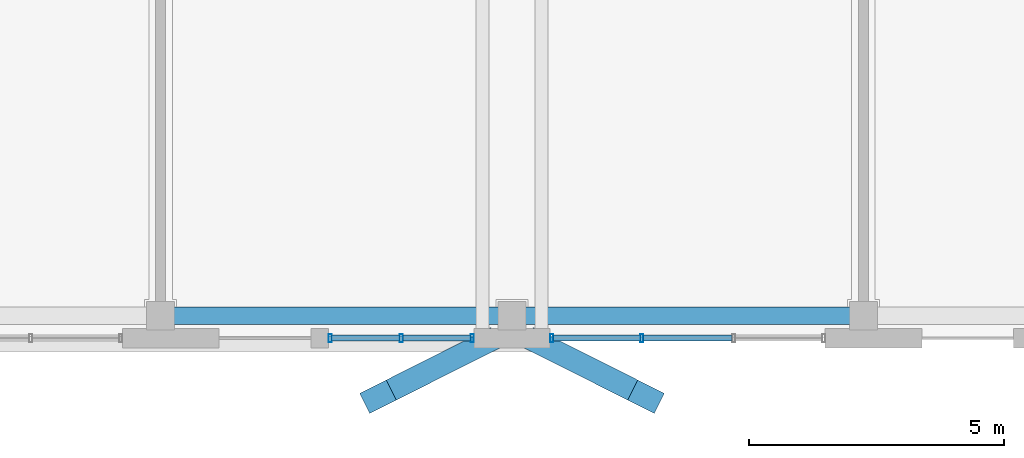
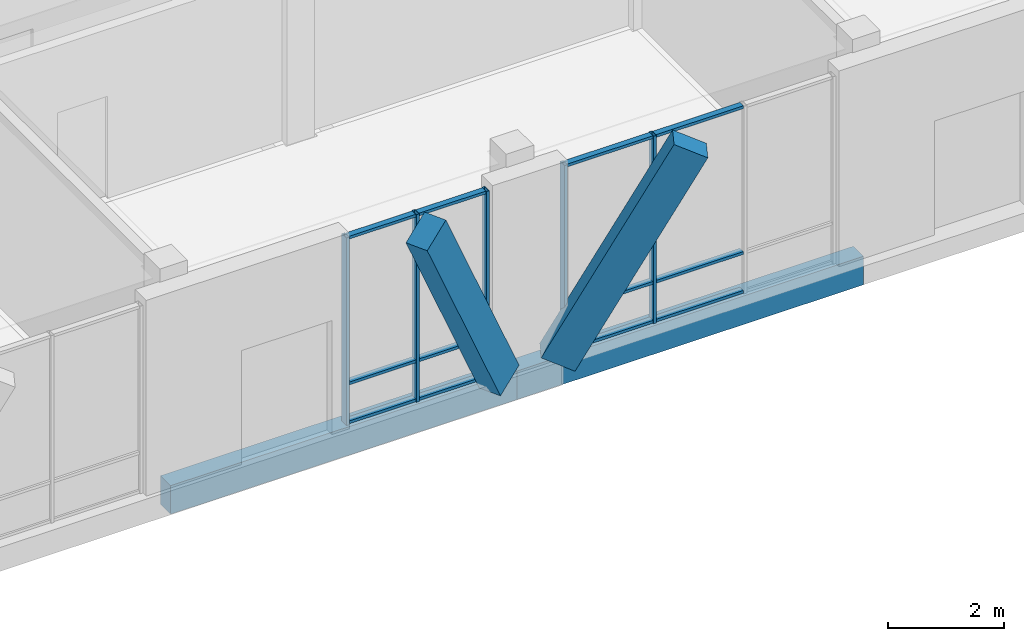
# One storey, part 138 of 233: 19 members, 2 beams, 2 elements without a shape of their own.
"""IFC4 building model written with IfcOpenShell, lengths in metres."""

from ifc_helpers import new_model, si_unit, direction, frame, origin, origin_2d, place, context, subcontext, project, spatial, rectangle, hollow_rectangle, extrude, material, material_profile, profile_set, type_object, element, aggregate, save


model = new_model("IFC4")

# Units and contexts
model_context = context("Model", 3, precision=1e-05, world=origin(), true_north=direction((0.0, 1.0)))
body_context = subcontext(model_context, "Body", "Model", "MODEL_VIEW")
ifc_project = project(units=[si_unit("LENGTHUNIT", "METRE"), si_unit("AREAUNIT", "SQUARE_METRE"), si_unit("VOLUMEUNIT", "CUBIC_METRE"), si_unit("PLANEANGLEUNIT", "RADIAN"), si_unit("MASSUNIT", "GRAM", prefix="KILO")], contexts=[model_context])

# Site, building, storey
site_placement = place(None, origin())
site = spatial("IfcSite", under=ifc_project, at=site_placement, CompositionType="ELEMENT")
building_placement = place(site_placement, origin())
building = spatial("IfcBuilding", under=site, at=building_placement, Name="Zavelmont Quarter", CompositionType="ELEMENT")
storey_placement = place(building_placement, origin())
storey = spatial("IfcBuildingStorey", under=building, at=storey_placement, Name="L00", CompositionType="ELEMENT", Elevation=0.0)

# Beams
ifc_material_1 = material(Name="Concrete C35/45", Category="concrete")
ifc_material_profile_1 = material_profile(ifc_material_1, rectangle(XDim=0.35009765625, YDim=0.60009765625, at=origin_2d()), Name="RC350X600")
ifc_profile_set_1 = profile_set([ifc_material_profile_1], Name="Concrete C35/45")
beam_type = type_object("IfcBeamType", Name="BM01", PredefinedType="SPANDREL", material=ifc_profile_set_1)
beam_1_placement = place(storey_placement, frame((140.39990234375, 0.43994140625, -0.6201171875), z_axis=(1.0, 0.0, 0.0), x_axis=(0.0, 1.0, 0.0)))
element("IfcBeam", 1, at=beam_1_placement, inside=storey, type_object=beam_type, Name="L00 beam BM01 21/A to 22/A", PredefinedType="SPANDREL", context=body_context, shape_type="SweptSolid", body=[
    extrude(rectangle(XDim=0.35009765625, YDim=0.60009765625, at=origin_2d()), origin(), (0.0, 0.0, 1.0), 6.900146484375),
])
beam_2_placement = place(storey_placement, frame((147.300048828125, 0.43994140625, -0.6201171875), z_axis=(1.0, 0.0, 0.0), x_axis=(0.0, 1.0, 0.0)))
element("IfcBeam", 2, at=beam_2_placement, inside=storey, type_object=beam_type, Name="L00 beam BM01 22/A to 23/A", PredefinedType="SPANDREL", context=body_context, shape_type="SweptSolid", body=[
    extrude(rectangle(XDim=0.35009765625, YDim=0.60009765625, at=origin_2d()), origin(), (0.0, 0.0, 1.0), 6.89990234375),
])

# Curtain wall, members
ifc_material_2 = material(Name="Thermally broken aluminium and double low-E safety glazing", Category="aluminium")
curtain_wall_type_1 = type_object("IfcCurtainWallType", Name="CW-285X395", PredefinedType="NOTDEFINED", material=ifc_material_2)
curtain_wall_1_placement = place(storey_placement, origin())
curtain_wall_1 = element("IfcCurtainWall", 3, at=curtain_wall_1_placement, inside=storey, type_object=curtain_wall_type_1, Name="L00 unitised curtain wall CW-285X395", PredefinedType="NOTDEFINED")
ifc_material_3 = material(Name="Powder-coated aluminium EN AW-6063-T6", Category="aluminium")
ifc_material_profile_2 = material_profile(ifc_material_3, hollow_rectangle(XDim=0.06005859375, YDim=0.159912109375, WallThickness=0.00390625, at=origin_2d()), Name="CWM60X160")
ifc_profile_set_2 = profile_set([ifc_material_profile_2], Name="Powder-coated aluminium EN AW-6063-T6")
member_type_1 = type_object("IfcMemberType", Name="CWM01", PredefinedType="MULLION", material=ifc_profile_set_2)
member_1_placement = place(storey_placement, frame((143.72998046875, 0.0, 0.0), z_axis=(0.0, 0.0, 1.0), x_axis=(1.0, 0.0, 0.0)))
member_1 = element("IfcMember", 4, at=member_1_placement, type_object=member_type_1, Name="CW-285X395 mullion 1", PredefinedType="MULLION", context=body_context, shape_type="SweptSolid", body=[
    extrude(hollow_rectangle(XDim=0.06005859375, YDim=0.159912109375, WallThickness=0.00390625, at=origin_2d()), origin(), (0.0, 0.0, 1.0), 3.949951171875),
])
member_2_placement = place(storey_placement, frame((145.125, 0.0, 0.0), z_axis=(0.0, 0.0, 1.0), x_axis=(1.0, 0.0, 0.0)))
member_2 = element("IfcMember", 5, at=member_2_placement, type_object=member_type_1, Name="CW-285X395 mullion 2", PredefinedType="MULLION", context=body_context, shape_type="SweptSolid", body=[
    extrude(hollow_rectangle(XDim=0.06005859375, YDim=0.159912109375, WallThickness=0.00390625, at=origin_2d()), origin(), (0.0, 0.0, 1.0), 3.949951171875),
])
member_3_placement = place(storey_placement, frame((146.52001953125, 0.0, 0.0), z_axis=(0.0, 0.0, 1.0), x_axis=(1.0, 0.0, 0.0)))
member_3 = element("IfcMember", 6, at=member_3_placement, type_object=member_type_1, Name="CW-285X395 mullion 3", PredefinedType="MULLION", context=body_context, shape_type="SweptSolid", body=[
    extrude(hollow_rectangle(XDim=0.06005859375, YDim=0.159912109375, WallThickness=0.00390625, at=origin_2d()), origin(), (0.0, 0.0, 1.0), 3.949951171875),
])

curtain_wall_type_2 = type_object("IfcCurtainWallType", Name="CW-540X395", PredefinedType="NOTDEFINED", material=ifc_material_2)
curtain_wall_2_placement = place(storey_placement, origin())
curtain_wall_2 = element("IfcCurtainWall", 7, at=curtain_wall_2_placement, inside=storey, type_object=curtain_wall_type_2, Name="L00 unitised curtain wall CW-540X395", PredefinedType="NOTDEFINED")
member_4_placement = place(storey_placement, frame((148.080078125, 0.0, 0.0), z_axis=(0.0, 0.0, 1.0), x_axis=(1.0, 0.0, 0.0)))
member_4 = element("IfcMember", 8, at=member_4_placement, type_object=member_type_1, Name="CW-540X395 mullion 1", PredefinedType="MULLION", context=body_context, shape_type="SweptSolid", body=[
    extrude(hollow_rectangle(XDim=0.06005859375, YDim=0.159912109375, WallThickness=0.00390625, at=origin_2d()), origin(), (0.0, 0.0, 1.0), 3.949951171875),
])
member_5_placement = place(storey_placement, frame((149.85009765625, 0.0, 0.0), z_axis=(0.0, 0.0, 1.0), x_axis=(1.0, 0.0, 0.0)))
member_5 = element("IfcMember", 9, at=member_5_placement, type_object=member_type_1, Name="CW-540X395 mullion 2", PredefinedType="MULLION", context=body_context, shape_type="SweptSolid", body=[
    extrude(hollow_rectangle(XDim=0.06005859375, YDim=0.159912109375, WallThickness=0.00390625, at=origin_2d()), origin(), (0.0, 0.0, 1.0), 3.949951171875),
])

# Member
ifc_material_profile_3 = material_profile(ifc_material_3, hollow_rectangle(XDim=0.1201171875, YDim=0.06005859375, WallThickness=0.00390625, at=origin_2d()), Name="CWT60X120")
ifc_profile_set_3 = profile_set([ifc_material_profile_3], Name="Powder-coated aluminium EN AW-6063-T6")
member_type_2 = type_object("IfcMemberType", Name="CWT01", PredefinedType="NOTDEFINED", material=ifc_profile_set_3)
member_6_placement = place(storey_placement, frame((143.760009765625, 0.0, 0.030029296875), z_axis=(1.0, 0.0, 0.0), x_axis=(0.0, 1.0, 0.0)))
member_6 = element("IfcMember", 10, at=member_6_placement, type_object=member_type_2, Name="CW-285X395 transom 1.1", ObjectType="TRANSOM", PredefinedType="USERDEFINED", context=body_context, shape_type="SweptSolid", body=[
    extrude(hollow_rectangle(XDim=0.1201171875, YDim=0.06005859375, WallThickness=0.00390625, at=origin_2d()), origin(), (0.0, 0.0, 1.0), 1.3349609375),
])

member_7_placement = place(storey_placement, frame((143.760009765625, 0.0, 0.85009765625), z_axis=(1.0, 0.0, 0.0), x_axis=(0.0, 1.0, 0.0)))
member_7 = element("IfcMember", 11, at=member_7_placement, type_object=member_type_2, Name="CW-285X395 transom 1.2", ObjectType="TRANSOM", PredefinedType="USERDEFINED", context=body_context, shape_type="SweptSolid", body=[
    extrude(hollow_rectangle(XDim=0.1201171875, YDim=0.06005859375, WallThickness=0.00390625, at=origin_2d()), origin(), (0.0, 0.0, 1.0), 1.3349609375),
])

member_8_placement = place(storey_placement, frame((143.760009765625, 0.0, 3.919921875), z_axis=(1.0, 0.0, 0.0), x_axis=(0.0, 1.0, 0.0)))
member_8 = element("IfcMember", 12, at=member_8_placement, type_object=member_type_2, Name="CW-285X395 transom 1.3", ObjectType="TRANSOM", PredefinedType="USERDEFINED", context=body_context, shape_type="SweptSolid", body=[
    extrude(hollow_rectangle(XDim=0.1201171875, YDim=0.06005859375, WallThickness=0.00390625, at=origin_2d()), origin(), (0.0, 0.0, 1.0), 1.3349609375),
])

member_9_placement = place(storey_placement, frame((145.155029296875, 0.0, 0.030029296875), z_axis=(1.0, 0.0, 0.0), x_axis=(0.0, 1.0, 0.0)))
member_9 = element("IfcMember", 13, at=member_9_placement, type_object=member_type_2, Name="CW-285X395 transom 2.1", ObjectType="TRANSOM", PredefinedType="USERDEFINED", context=body_context, shape_type="SweptSolid", body=[
    extrude(hollow_rectangle(XDim=0.1201171875, YDim=0.06005859375, WallThickness=0.00390625, at=origin_2d()), origin(), (0.0, 0.0, 1.0), 1.3349609375),
])

member_10_placement = place(storey_placement, frame((145.155029296875, 0.0, 0.85009765625), z_axis=(1.0, 0.0, 0.0), x_axis=(0.0, 1.0, 0.0)))
member_10 = element("IfcMember", 14, at=member_10_placement, type_object=member_type_2, Name="CW-285X395 transom 2.2", ObjectType="TRANSOM", PredefinedType="USERDEFINED", context=body_context, shape_type="SweptSolid", body=[
    extrude(hollow_rectangle(XDim=0.1201171875, YDim=0.06005859375, WallThickness=0.00390625, at=origin_2d()), origin(), (0.0, 0.0, 1.0), 1.3349609375),
])

member_11_placement = place(storey_placement, frame((145.155029296875, 0.0, 3.919921875), z_axis=(1.0, 0.0, 0.0), x_axis=(0.0, 1.0, 0.0)))
member_11 = element("IfcMember", 15, at=member_11_placement, type_object=member_type_2, Name="CW-285X395 transom 2.3", ObjectType="TRANSOM", PredefinedType="USERDEFINED", context=body_context, shape_type="SweptSolid", body=[
    extrude(hollow_rectangle(XDim=0.1201171875, YDim=0.06005859375, WallThickness=0.00390625, at=origin_2d()), origin(), (0.0, 0.0, 1.0), 1.3349609375),
])

aggregate(curtain_wall_1, [member_1, member_2, member_3, member_6, member_7, member_8, member_9, member_10, member_11])

member_12_placement = place(storey_placement, frame((148.110107421875, 0.0, 0.030029296875), z_axis=(1.0, 0.0, 0.0), x_axis=(0.0, 1.0, 0.0)))
member_12 = element("IfcMember", 16, at=member_12_placement, type_object=member_type_2, Name="CW-540X395 transom 1.1", ObjectType="TRANSOM", PredefinedType="USERDEFINED", context=body_context, shape_type="SweptSolid", body=[
    extrude(hollow_rectangle(XDim=0.1201171875, YDim=0.06005859375, WallThickness=0.00390625, at=origin_2d()), origin(), (0.0, 0.0, 1.0), 1.7099609375),
])

member_13_placement = place(storey_placement, frame((148.110107421875, 0.0, 0.85009765625), z_axis=(1.0, 0.0, 0.0), x_axis=(0.0, 1.0, 0.0)))
member_13 = element("IfcMember", 17, at=member_13_placement, type_object=member_type_2, Name="CW-540X395 transom 1.2", ObjectType="TRANSOM", PredefinedType="USERDEFINED", context=body_context, shape_type="SweptSolid", body=[
    extrude(hollow_rectangle(XDim=0.1201171875, YDim=0.06005859375, WallThickness=0.00390625, at=origin_2d()), origin(), (0.0, 0.0, 1.0), 1.7099609375),
])

member_14_placement = place(storey_placement, frame((148.110107421875, 0.0, 3.919921875), z_axis=(1.0, 0.0, 0.0), x_axis=(0.0, 1.0, 0.0)))
member_14 = element("IfcMember", 18, at=member_14_placement, type_object=member_type_2, Name="CW-540X395 transom 1.3", ObjectType="TRANSOM", PredefinedType="USERDEFINED", context=body_context, shape_type="SweptSolid", body=[
    extrude(hollow_rectangle(XDim=0.1201171875, YDim=0.06005859375, WallThickness=0.00390625, at=origin_2d()), origin(), (0.0, 0.0, 1.0), 1.7099609375),
])

member_15_placement = place(storey_placement, frame((149.8798828125, 0.0, 0.030029296875), z_axis=(1.0, 0.0, 0.0), x_axis=(0.0, 1.0, 0.0)))
member_15 = element("IfcMember", 19, at=member_15_placement, type_object=member_type_2, Name="CW-540X395 transom 2.1", ObjectType="TRANSOM", PredefinedType="USERDEFINED", context=body_context, shape_type="SweptSolid", body=[
    extrude(hollow_rectangle(XDim=0.1201171875, YDim=0.06005859375, WallThickness=0.00390625, at=origin_2d()), origin(), (0.0, 0.0, 1.0), 1.740234375),
])

member_16_placement = place(storey_placement, frame((149.8798828125, 0.0, 0.85009765625), z_axis=(1.0, 0.0, 0.0), x_axis=(0.0, 1.0, 0.0)))
member_16 = element("IfcMember", 20, at=member_16_placement, type_object=member_type_2, Name="CW-540X395 transom 2.2", ObjectType="TRANSOM", PredefinedType="USERDEFINED", context=body_context, shape_type="SweptSolid", body=[
    extrude(hollow_rectangle(XDim=0.1201171875, YDim=0.06005859375, WallThickness=0.00390625, at=origin_2d()), origin(), (0.0, 0.0, 1.0), 1.740234375),
])

member_17_placement = place(storey_placement, frame((149.8798828125, 0.0, 3.919921875), z_axis=(1.0, 0.0, 0.0), x_axis=(0.0, 1.0, 0.0)))
member_17 = element("IfcMember", 21, at=member_17_placement, type_object=member_type_2, Name="CW-540X395 transom 2.3", ObjectType="TRANSOM", PredefinedType="USERDEFINED", context=body_context, shape_type="SweptSolid", body=[
    extrude(hollow_rectangle(XDim=0.1201171875, YDim=0.06005859375, WallThickness=0.00390625, at=origin_2d()), origin(), (0.0, 0.0, 1.0), 1.740234375),
])

aggregate(curtain_wall_2, [member_4, member_5, member_12, member_13, member_14, member_15, member_16, member_17])

# Members
ifc_material_4 = material(Name="White architectural precast concrete C40/50", Category="concrete")
ifc_material_profile_4 = material_profile(ifc_material_4, rectangle(XDim=0.43994140625, YDim=0.659912109375, at=origin_2d()), Name="PCR320X480")
ifc_profile_set_4 = profile_set([ifc_material_profile_4], Name="White architectural precast concrete C40/50")
member_type_3 = type_object("IfcMemberType", Name="VR01M", PredefinedType="CHORD", material=ifc_profile_set_4)
for number, where, z_axis, x_axis, name in (
    (22, (146.719970703125, -0.1201171875, 0.0), (-0.413550443654, -0.20748849427, 0.886523860536), (0.448446451272, -0.893809700295, 0.0), "L00 member VR01M 22/A to 22/A"),
    (23, (147.8798828125, -0.1201171875, 0.0), (0.413591220737, -0.207484273201, 0.88650582542), (0.448403840089, 0.893831078109, 0.0), "L00 member VR01M 22/A to 22/A"),
):
    element("IfcMember", number, at=place(storey_placement, frame(where, z_axis=z_axis, x_axis=x_axis)), inside=storey, type_object=member_type_3, Name=name, PredefinedType="CHORD", context=body_context, shape_type="SweptSolid", body=[
        extrude(rectangle(XDim=0.43994140625, YDim=0.659912109375, at=origin_2d()), origin(), (0.0, 0.0, 1.0), 4.963134765625),
    ])

save(model, "model.ifc")
